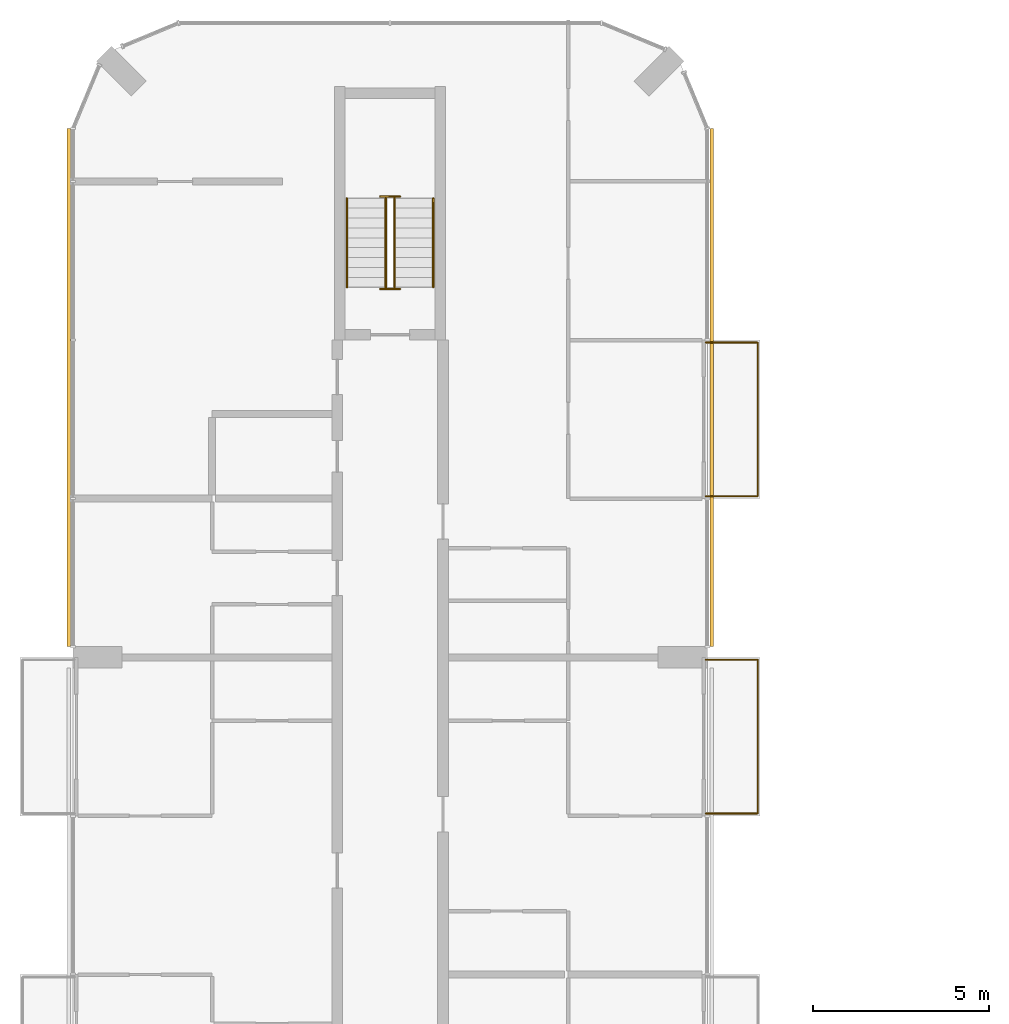
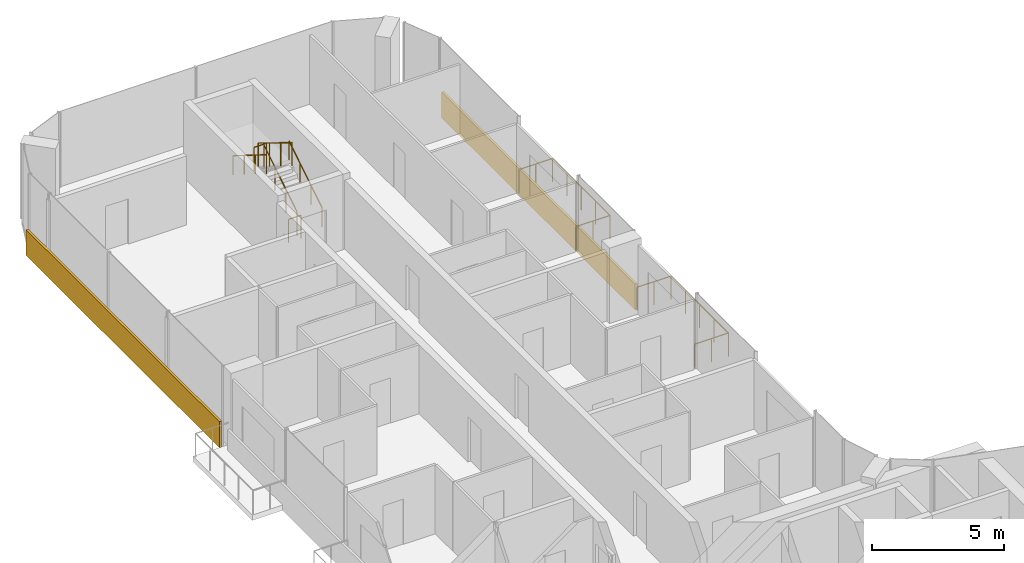
# One storey, part 16 of 16: 8 railings, 2 coverings.
"""IFC4 building model written with IfcOpenShell, lengths in metres."""

from ifc_helpers import new_model, si_unit, direction, frame, origin, origin_2d, place, context, subcontext, project, spatial, rectangle, circle, extrude, material, layer, layer_set, type_object, element, save


model = new_model("IFC4")

# Units and contexts
model_context = context("Model", 3, precision=1e-05, world=origin(), true_north=direction((0.0, 1.0)))
body_context = subcontext(model_context, "Body", "Model", "MODEL_VIEW")
ifc_project = project(units=[si_unit("LENGTHUNIT", "METRE"), si_unit("AREAUNIT", "SQUARE_METRE"), si_unit("VOLUMEUNIT", "CUBIC_METRE"), si_unit("PLANEANGLEUNIT", "RADIAN"), si_unit("MASSUNIT", "GRAM", prefix="KILO")], contexts=[model_context])

# Site, building, storey
site_placement = place(None, origin())
site = spatial("IfcSite", under=ifc_project, at=site_placement, CompositionType="ELEMENT")
building_placement = place(site_placement, origin())
building = spatial("IfcBuilding", under=site, at=building_placement, Name="Plateau Cross Towers", CompositionType="ELEMENT")
storey_placement = place(building_placement, frame((0.0, 0.0, 181.39990234375)))
storey = spatial("IfcBuildingStorey", under=building, at=storey_placement, Name="L47", CompositionType="ELEMENT", Elevation=181.39990234375)

# Railings
ifc_material_1 = material(Name="Stainless steel and toughened glass", Category="steel")
railing_type_1 = type_object("IfcRailingType", Name="Glass balustrade guard 1100", PredefinedType="GUARDRAIL", material=ifc_material_1)
for number, where, name in (
    (1, (17.949951171875, 35.929931640625, 0.0), "Guard guard1"),
    (2, (17.949951171875, 44.929931640625, 0.0), "Guard guard1"),
):
    element("IfcRailing", number, at=place(storey_placement, frame(where)), inside=storey, type_object=railing_type_1, Name=name, PredefinedType="GUARDRAIL", context=body_context, shape_type="SweptSolid", body=[
        extrude(circle(Radius=0.02392578125, at=origin_2d()), frame((0.0, 0.0, 1.076171875), z_axis=(1.0, 0.0, 0.0), x_axis=(0.0, 1.0, 0.0)), (0.0, 0.0, 1.0), 1.47998046875),
        extrude(circle(Radius=0.02392578125, at=origin_2d()), frame((1.47998046875, 0.0, 1.076171875), z_axis=(0.0, -1.0, 0.0), x_axis=(1.0, 0.0, 0.0)), (0.0, 0.0, 1.0), 4.35986328125),
        extrude(circle(Radius=0.02392578125, at=origin_2d()), frame((1.47998046875, -4.35986328125, 1.076171875), z_axis=(-1.0, 0.0, 0.0), x_axis=(0.0, -1.0, 0.0)), (0.0, 0.0, 1.0), 1.47998046875),
        extrude(circle(Radius=0.02099609375, at=origin_2d()), origin(), (0.0, 0.0, 1.0), 1.052001953125),
        extrude(circle(Radius=0.02099609375, at=origin_2d()), frame((0.739990234375, 0.0, 0.0)), (0.0, 0.0, 1.0), 1.052001953125),
        extrude(circle(Radius=0.02099609375, at=origin_2d()), frame((1.47998046875, 0.0, 0.0)), (0.0, 0.0, 1.0), 1.052001953125),
        extrude(circle(Radius=0.02099609375, at=origin_2d()), frame((1.47998046875, -1.08984375, 0.0)), (0.0, 0.0, 1.0), 1.052001953125),
        extrude(circle(Radius=0.02099609375, at=origin_2d()), frame((1.47998046875, -2.179931640625, 0.0)), (0.0, 0.0, 1.0), 1.052001953125),
        extrude(circle(Radius=0.02099609375, at=origin_2d()), frame((1.47998046875, -3.27001953125, 0.0)), (0.0, 0.0, 1.0), 1.052001953125),
        extrude(circle(Radius=0.02099609375, at=origin_2d()), frame((1.47998046875, -4.35986328125, 0.0)), (0.0, 0.0, 1.0), 1.052001953125),
        extrude(circle(Radius=0.02099609375, at=origin_2d()), frame((0.739990234375, -4.35986328125, 0.0)), (0.0, 0.0, 1.0), 1.052001953125),
        extrude(circle(Radius=0.02099609375, at=origin_2d()), frame((0.0, -4.35986328125, 0.0)), (0.0, 0.0, 1.0), 1.052001953125),
    ])
railing_type_2 = type_object("IfcRailingType", Name="RL-GUARD-1100", PredefinedType="GUARDRAIL", material=ifc_material_1)
railing_1_placement = place(storey_placement, frame((9.125, 46.5, 0.175048828125)))
element("IfcRailing", 3, at=railing_1_placement, inside=storey, type_object=railing_type_2, Name="L47 ES-N stair guard 1", PredefinedType="GUARDRAIL", context=body_context, shape_type="SweptSolid", body=[
    extrude(circle(Radius=0.02392578125, at=origin_2d()), frame((0.0, 0.0, 1.076171875), z_axis=(0.0, 0.848007534815, 0.529984170421), x_axis=(-1.0, 0.0, 0.0)), (0.0, 0.0, 1.0), 2.9716796875),
    extrude(circle(Radius=0.02099609375, at=origin_2d()), origin(), (0.0, 0.0, 1.0), 1.052001953125),
    extrude(circle(Radius=0.02099609375, at=origin_2d()), frame((0.0, 0.840087890625, 0.52490234375)), (0.0, 0.0, 1.0), 1.052001953125),
    extrude(circle(Radius=0.02099609375, at=origin_2d()), frame((0.0, 1.679931640625, 1.050048828125)), (0.0, 0.0, 1.0), 1.052001953125),
    extrude(circle(Radius=0.02099609375, at=origin_2d()), frame((0.0, 2.52001953125, 1.574951171875)), (0.0, 0.0, 1.0), 1.052001953125),
])
railing_2_placement = place(storey_placement, frame((9.27490234375, 49.070068359375, 1.75)))
element("IfcRailing", 4, at=railing_2_placement, inside=storey, type_object=railing_type_2, Name="L47 ES-N stair guard 2", PredefinedType="GUARDRAIL", context=body_context, shape_type="SweptSolid", body=[
    extrude(circle(Radius=0.02392578125, at=origin_2d()), frame((0.0, 0.0, 1.076171875), z_axis=(-1.0, 0.0, 0.0), x_axis=(0.0, -1.0, 0.0)), (0.0, 0.0, 1.0), 0.5498046875),
    extrude(circle(Radius=0.02099609375, at=origin_2d()), origin(), (0.0, 0.0, 1.0), 1.052001953125),
    extrude(circle(Radius=0.02099609375, at=origin_2d()), frame((-0.5498046875, 0.0, 0.0)), (0.0, 0.0, 1.0), 1.052001953125),
])
railing_3_placement = place(storey_placement, frame((8.875, 49.02001953125, 1.925048828125)))
element("IfcRailing", 5, at=railing_3_placement, inside=storey, type_object=railing_type_2, Name="L47 ES-N stair guard 3", PredefinedType="GUARDRAIL", context=body_context, shape_type="SweptSolid", body=[
    extrude(circle(Radius=0.02392578125, at=origin_2d()), frame((0.0, 0.0, 1.076171875), z_axis=(0.0, -0.852638500773, 0.522501279423), x_axis=(1.0, 0.0, 0.0)), (0.0, 0.0, 1.0), 3.01416015625),
    extrude(circle(Radius=0.02099609375, at=origin_2d()), origin(), (0.0, 0.0, 1.0), 1.052001953125),
    extrude(circle(Radius=0.02099609375, at=origin_2d()), frame((0.0, -0.856689453125, 0.52490234375)), (0.0, 0.0, 1.0), 1.052001953125),
    extrude(circle(Radius=0.02099609375, at=origin_2d()), frame((0.0, -1.71337890625, 1.050048828125)), (0.0, 0.0, 1.0), 1.052001953125),
    extrude(circle(Radius=0.02099609375, at=origin_2d()), frame((0.0, -2.570068359375, 1.574951171875)), (0.0, 0.0, 1.0), 1.052001953125),
])
railing_4_placement = place(storey_placement, frame((9.27490234375, 46.449951171875, 0.0)))
element("IfcRailing", 6, at=railing_4_placement, inside=storey, type_object=railing_type_2, Name="L47 ES-N stair guard 4", PredefinedType="GUARDRAIL", context=body_context, shape_type="SweptSolid", body=[
    extrude(circle(Radius=0.02392578125, at=origin_2d()), frame((0.0, 0.0, 1.076171875), z_axis=(-1.0, 0.0, 0.0), x_axis=(0.0, -1.0, 0.0)), (0.0, 0.0, 1.0), 0.5498046875),
    extrude(circle(Radius=0.02099609375, at=origin_2d()), origin(), (0.0, 0.0, 1.0), 1.052001953125),
    extrude(circle(Radius=0.02099609375, at=origin_2d()), frame((-0.5498046875, 0.0, 0.0)), (0.0, 0.0, 1.0), 1.052001953125),
])
ifc_material_2 = material(Name="Black anodised aluminium", Category="aluminium")
railing_type_3 = type_object("IfcRailingType", Name="RL-HANDRAIL-900", PredefinedType="HANDRAIL", material=ifc_material_2)
railing_5_placement = place(storey_placement, frame((10.22509765625, 46.5, 0.175048828125)))
element("IfcRailing", 7, at=railing_5_placement, inside=storey, type_object=railing_type_3, Name="L47 ES-N stair handrail 1", PredefinedType="HANDRAIL", context=body_context, shape_type="SweptSolid", body=[
    extrude(circle(Radius=0.02392578125, at=origin_2d()), frame((0.0, 0.0, 0.8759765625), z_axis=(0.0, 0.848007534815, 0.529984170421), x_axis=(-1.0, 0.0, 0.0)), (0.0, 0.0, 1.0), 2.9716796875),
    extrude(circle(Radius=0.02099609375, at=origin_2d()), origin(), (0.0, 0.0, 1.0), 0.851806640625),
    extrude(circle(Radius=0.02099609375, at=origin_2d()), frame((0.0, 0.840087890625, 0.52490234375)), (0.0, 0.0, 1.0), 0.851806640625),
    extrude(circle(Radius=0.02099609375, at=origin_2d()), frame((0.0, 1.679931640625, 1.050048828125)), (0.0, 0.0, 1.0), 0.851806640625),
    extrude(circle(Radius=0.02099609375, at=origin_2d()), frame((0.0, 2.52001953125, 1.574951171875)), (0.0, 0.0, 1.0), 0.851806640625),
])
railing_6_placement = place(storey_placement, frame((7.77490234375, 49.02001953125, 1.925048828125)))
element("IfcRailing", 8, at=railing_6_placement, inside=storey, type_object=railing_type_3, Name="L47 ES-N stair handrail 2", PredefinedType="HANDRAIL", context=body_context, shape_type="SweptSolid", body=[
    extrude(circle(Radius=0.02392578125, at=origin_2d()), frame((0.0, 0.0, 0.8759765625), z_axis=(0.0, -0.848007534815, 0.529984170421), x_axis=(1.0, 0.0, 0.0)), (0.0, 0.0, 1.0), 2.9716796875),
    extrude(circle(Radius=0.02099609375, at=origin_2d()), origin(), (0.0, 0.0, 1.0), 0.851806640625),
    extrude(circle(Radius=0.02099609375, at=origin_2d()), frame((0.0, -0.840087890625, 0.52490234375)), (0.0, 0.0, 1.0), 0.851806640625),
    extrude(circle(Radius=0.02099609375, at=origin_2d()), frame((0.0, -1.679931640625, 1.050048828125)), (0.0, 0.0, 1.0), 0.851806640625),
    extrude(circle(Radius=0.02099609375, at=origin_2d()), frame((0.0, -2.52001953125, 1.574951171875)), (0.0, 0.0, 1.0), 0.851806640625),
])

# Coverings
ifc_material_3 = material(Name="Precast concrete cladding C40/50", Category="concrete")
ifc_layer = layer(ifc_material_3, 0.10009765625)
ifc_layer_set = layer_set([ifc_layer], Name="Precast concrete cladding C40/50")
covering_type = type_object("IfcCoveringType", Name="Spandrel band cladding 100x1200", PredefinedType="CLADDING", material=ifc_layer_set)
for number, where, z_axis, x_axis, name in (
    (9, (18.1201171875, 43.64990234375, -0.25), (0.0, 0.0, 1.0), (0.0, 1.0, 0.0), "Spandrel band"),
    (10, (-0.1201171875, 43.64990234375, -0.25), (0.0, 0.0, 1.0), (0.0, -1.0, 0.0), "Spandrel band"),
):
    element("IfcCovering", number, at=place(storey_placement, frame(where, z_axis=z_axis, x_axis=x_axis)), inside=storey, type_object=covering_type, Name=name, PredefinedType="CLADDING", context=body_context, shape_type="SweptSolid", body=[
        extrude(rectangle(XDim=14.699951171875, YDim=0.10009765625, at=origin_2d()), origin(), (0.0, 0.0, 1.0), 1.199951171875),
    ])

save(model, "model.ifc")
